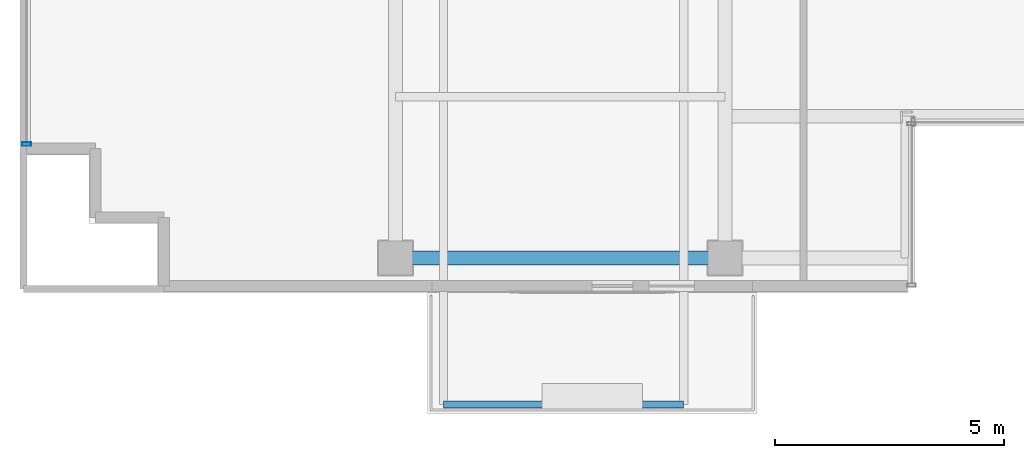
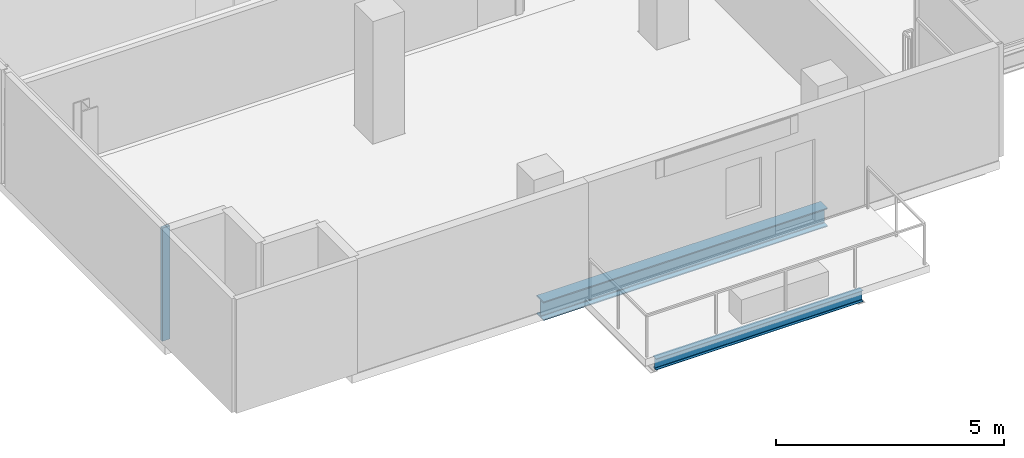
# One storey, part 2 of 22: 2 beams, 1 member, 1 element without a shape of its own.
"""IFC4 building model written with IfcOpenShell, lengths in metres."""

from ifc_helpers import new_model, si_unit, direction, frame, origin, origin_2d, place, context, subcontext, project, spatial, hollow_rectangle, i_section, extrude, source, transform, mapped, material, layer, layer_set, material_profile, profile_set, type_object, element, aggregate, save


model = new_model("IFC4")

# Units and contexts
model_context = context("Model", 3, precision=1e-05, world=origin(), true_north=direction((0.0, 1.0)))
body_context = subcontext(model_context, "Body", "Model", "MODEL_VIEW")
ifc_project = project(units=[si_unit("LENGTHUNIT", "METRE"), si_unit("AREAUNIT", "SQUARE_METRE"), si_unit("VOLUMEUNIT", "CUBIC_METRE"), si_unit("PLANEANGLEUNIT", "RADIAN"), si_unit("MASSUNIT", "GRAM", prefix="KILO")], contexts=[model_context])

# Site, building, storey
site_placement = place(None, origin())
site = spatial("IfcSite", under=ifc_project, at=site_placement, CompositionType="ELEMENT")
building_placement = place(site_placement, origin())
building = spatial("IfcBuilding", under=site, at=building_placement, Name="Zarnakvel Exchange Tower", CompositionType="ELEMENT")
storey_placement = place(building_placement, frame((0.0, 0.0, 195.699951171875)))
storey = spatial("IfcBuildingStorey", under=building, at=storey_placement, Name="L55", CompositionType="ELEMENT", Elevation=195.699951171875)

# Beams
ifc_material_1 = material(Name="Steel S355", Category="steel")
ifc_material_profile_1 = material_profile(ifc_material_1, i_section(OverallWidth=0.14990234375, OverallDepth=0.300048828125, WebThickness=0.007080078125, FlangeThickness=0.0107421875, FilletRadius=0.014892578125, at=origin_2d()))
ifc_profile_set_1 = profile_set([ifc_material_profile_1], Name="Steel S355")
beam_type_1 = type_object("IfcBeamType", Name="B-08", PredefinedType="JOIST", material=ifc_profile_set_1)
beam_1_placement = place(storey_placement, frame((-13.35009765625, -19.85009765625, -0.375), z_axis=(1.0, 0.0, 0.0), x_axis=(0.0, 1.0, 0.0)))
element("IfcBeam", 1, at=beam_1_placement, inside=storey, type_object=beam_type_1, Name="L55 Balcony Edge Beam", PredefinedType="JOIST", context=body_context, shape_type="SweptSolid", body=[
    extrude(i_section(OverallWidth=0.14990234375, OverallDepth=0.300048828125, WebThickness=0.007080078125, FlangeThickness=0.0107421875, FilletRadius=0.014892578125, at=origin_2d()), origin(), (0.0, 0.0, 1.0), 5.25),
])
ifc_material_profile_2 = material_profile(ifc_material_1, i_section(OverallWidth=0.300048828125, OverallDepth=0.5, WebThickness=0.014404296875, FlangeThickness=0.028076171875, FilletRadius=0.027099609375, at=origin_2d()))
ifc_profile_set_2 = profile_set([ifc_material_profile_2], Name="Steel S355")
beam_type_2 = type_object("IfcBeamType", Name="SP-02", PredefinedType="SPANDREL", material=ifc_profile_set_2)
beam_2_placement = place(storey_placement, frame((-14.39990234375, -16.64990234375, -0.474853515625), z_axis=(1.0, 0.0, 0.0), x_axis=(0.0, 1.0, 0.0)))
element("IfcBeam", 2, at=beam_2_placement, inside=storey, type_object=beam_type_2, Name="L55 Tower E-W Frame Beam", PredefinedType="SPANDREL", context=body_context, shape_type="SweptSolid", body=[
    extrude(i_section(OverallWidth=0.300048828125, OverallDepth=0.5, WebThickness=0.014404296875, FlangeThickness=0.028076171875, FilletRadius=0.027099609375, at=origin_2d()), origin(), (0.0, 0.0, 1.0), 7.199951171875),
])

# Curtain wall, member
ifc_material_2 = material(Name="Architectural Bronze Anodised Aluminium", Category="aluminium")
ifc_layer = layer(ifc_material_2, 0.199951171875)
ifc_layer_set = layer_set([ifc_layer], Name="Architectural Bronze Anodised Aluminium")
curtain_wall_type = type_object("IfcCurtainWallType", Name="CW-04", PredefinedType="NOTDEFINED", material=ifc_layer_set)
curtain_wall_placement = place(storey_placement, origin())
curtain_wall = element("IfcCurtainWall", 3, at=curtain_wall_placement, inside=storey, type_object=curtain_wall_type, Name="L55 Curtain Wall CW-L55-W1 (CW-04)", PredefinedType="NOTDEFINED")
ifc_material_profile_3 = material_profile(ifc_material_2, hollow_rectangle(XDim=0.199951171875, YDim=0.074951171875, WallThickness=0.0048828125, at=origin_2d()))
ifc_profile_set_3 = profile_set([ifc_material_profile_3], Name="Architectural Bronze Anodised Aluminium")
member_type = type_object("IfcMemberType", Name="CWM-04", PredefinedType="MULLION", material=ifc_profile_set_3)
shared_shape = source(origin(), body_context, "Body", "SweptSolid", [
    extrude(hollow_rectangle(XDim=0.199951171875, YDim=0.074951171875, WallThickness=0.0048828125, at=origin_2d()), origin(), (0.0, 0.0, 1.0), 3.030029296875),
])
member_placement = place(storey_placement, frame((-22.4599609375, -14.16259765625, 0.0), z_axis=(0.0, 0.0, 1.0), x_axis=(-1.0, 0.0, 0.0)))
member = element("IfcMember", 4, at=member_placement, type_object=member_type, Name="CW-04 mullion 1", PredefinedType="MULLION", context=body_context, shape_type="MappedRepresentation", body=[
    mapped(shared_shape, transform((0.0, 0.0, 0.0), x_axis=(1.0, 0.0, 0.0), y_axis=(0.0, 1.0, 0.0), z_axis=(0.0, 0.0, 1.0), scale=1.0)),
])
aggregate(curtain_wall, [member])

save(model, "model.ifc")
